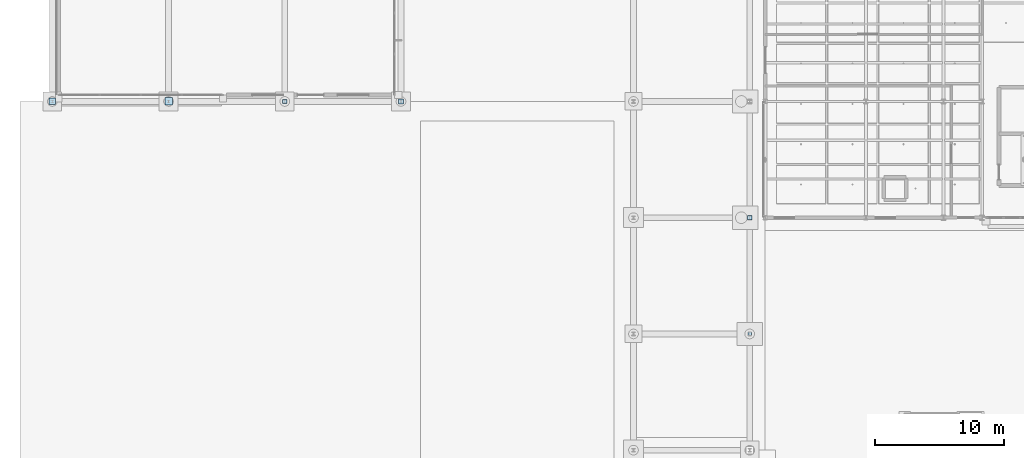
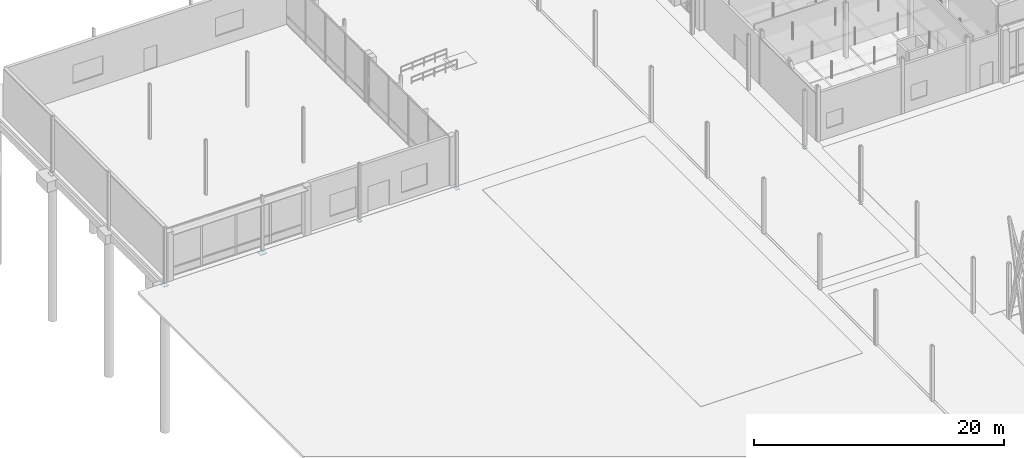
# One storey, part 87 of 180: 6 plates.
"""IFC4 building model written with IfcOpenShell, lengths in metres."""

from ifc_helpers import new_model, si_unit, direction, frame, origin, origin_2d, place, context, subcontext, project, spatial, rectangle, extrude, material, layer, layer_set, type_object, element, save


model = new_model("IFC4")

# Units and contexts
model_context = context("Model", 3, precision=1e-05, world=origin(), true_north=direction((0.0, 1.0)))
body_context = subcontext(model_context, "Body", "Model", "MODEL_VIEW")
ifc_project = project(units=[si_unit("LENGTHUNIT", "METRE"), si_unit("AREAUNIT", "SQUARE_METRE"), si_unit("VOLUMEUNIT", "CUBIC_METRE"), si_unit("PLANEANGLEUNIT", "RADIAN"), si_unit("MASSUNIT", "GRAM", prefix="KILO"), si_unit("THERMODYNAMICTEMPERATUREUNIT", "KELVIN"), si_unit("POWERUNIT", "WATT")], contexts=[model_context])

# Site, building, storey
site_placement = place(None, origin())
site = spatial("IfcSite", under=ifc_project, at=site_placement, CompositionType="ELEMENT")
building_placement = place(site_placement, origin())
building = spatial("IfcBuilding", under=site, at=building_placement, Name="Tallowbark Science Centre", CompositionType="ELEMENT")
storey_placement = place(building_placement, origin())
storey = spatial("IfcBuildingStorey", under=building, at=storey_placement, Name="L00", CompositionType="ELEMENT", Elevation=0.0)

# Plates
ifc_material = material(Name="Structural Steel Grade 300PLUS (300 MPa)", Category="steel")
ifc_layer_1 = layer(ifc_material, 0.010009765625)
ifc_layer_set_1 = layer_set([ifc_layer_1], Name="Structural Steel Grade 300PLUS (300 MPa)")
plate_type_1 = type_object("IfcPlateType", Name="PLT-GUS-10", PredefinedType="SHEET", material=ifc_layer_set_1)
plate_1_placement = place(storey_placement, frame((54.0, 63.0, -0.259765625), z_axis=(0.0, 0.0, 1.0), x_axis=(1.0, 0.0, 0.0)))
element("IfcPlate", 1, at=plate_1_placement, inside=storey, type_object=plate_type_1, Name="Column Baseplate PAS-E07", PredefinedType="SHEET", context=body_context, shape_type="SweptSolid", body=[
    extrude(rectangle(XDim=0.300048828125, YDim=0.300048828125, at=origin_2d()), origin(), (0.0, 0.0, 1.0), 0.010009765625),
])
ifc_layer_2 = layer(ifc_material, 0.013916015625)
ifc_layer_set_2 = layer_set([ifc_layer_2], Name="Structural Steel Grade 300PLUS (300 MPa)")
plate_type_2 = type_object("IfcPlateType", Name="PLT-GUS-14", PredefinedType="SHEET", material=ifc_layer_set_2)
for number, where, z_axis, x_axis, name in (
    (2, (54.0, 72.0, -0.259765625), (0.0, 0.0, 1.0), (1.0, 0.0, 0.0), "Column Baseplate PAS-E08"),
    (3, (18.0, 81.0, -0.259765625), (0.0, 0.0, 1.0), (1.0, 0.0, 0.0), "Column Baseplate PRK-2_0"),
):
    element("IfcPlate", number, at=place(storey_placement, frame(where, z_axis=z_axis, x_axis=x_axis)), inside=storey, type_object=plate_type_2, Name=name, PredefinedType="SHEET", context=body_context, shape_type="SweptSolid", body=[
        extrude(rectangle(XDim=0.340087890625, YDim=0.340087890625, at=origin_2d()), origin(), (0.0, 0.0, 1.0), 0.013916015625),
    ])
ifc_layer_3 = layer(ifc_material, 0.02197265625)
ifc_layer_set_3 = layer_set([ifc_layer_3], Name="Structural Steel Grade 300PLUS (300 MPa)")
plate_type_3 = type_object("IfcPlateType", Name="PLT-GUS-22", PredefinedType="SHEET", material=ifc_layer_set_3)
plate_2_placement = place(storey_placement, frame((27.0, 81.0, -0.260009765625), z_axis=(0.0, 0.0, 1.0), x_axis=(1.0, 0.0, 0.0)))
element("IfcPlate", 4, at=plate_2_placement, inside=storey, type_object=plate_type_3, Name="Column Baseplate PRK-3_0", PredefinedType="SHEET", context=body_context, shape_type="SweptSolid", body=[
    extrude(rectangle(XDim=0.419921875, YDim=0.419921875, at=origin_2d()), origin(), (0.0, 0.0, 1.0), 0.02197265625),
])
ifc_layer_4 = layer(ifc_material, 0.030029296875)
ifc_layer_set_4 = layer_set([ifc_layer_4], Name="Structural Steel Grade 300PLUS (300 MPa)")
plate_type_4 = type_object("IfcPlateType", Name="PLT-GUS-30", PredefinedType="SHEET", material=ifc_layer_set_4)
plate_3_placement = place(storey_placement, frame((0.0, 81.0, -0.26025390625), z_axis=(0.0, 0.0, 1.0), x_axis=(1.0, 0.0, 0.0)))
element("IfcPlate", 5, at=plate_3_placement, inside=storey, type_object=plate_type_4, Name="Column Baseplate PRK-0_0", PredefinedType="SHEET", context=body_context, shape_type="SweptSolid", body=[
    extrude(rectangle(XDim=0.5, YDim=0.5, at=origin_2d()), origin(), (0.0, 0.0, 1.0), 0.030029296875),
])
ifc_layer_5 = layer(ifc_material, 0.0380859375)
ifc_layer_set_5 = layer_set([ifc_layer_5], Name="Structural Steel Grade 300PLUS (300 MPa)")
plate_type_5 = type_object("IfcPlateType", Name="PLT-GUS-38", PredefinedType="SHEET", material=ifc_layer_set_5)
plate_4_placement = place(storey_placement, frame((9.0, 81.0, -0.260009765625), z_axis=(0.0, 0.0, 1.0), x_axis=(1.0, 0.0, 0.0)))
element("IfcPlate", 6, at=plate_4_placement, inside=storey, type_object=plate_type_5, Name="Column Baseplate PRK-1_0", PredefinedType="SHEET", context=body_context, shape_type="SweptSolid", body=[
    extrude(rectangle(XDim=0.580078125, YDim=0.580078125, at=origin_2d()), origin(), (0.0, 0.0, 1.0), 0.0380859375),
])

save(model, "model.ifc")
